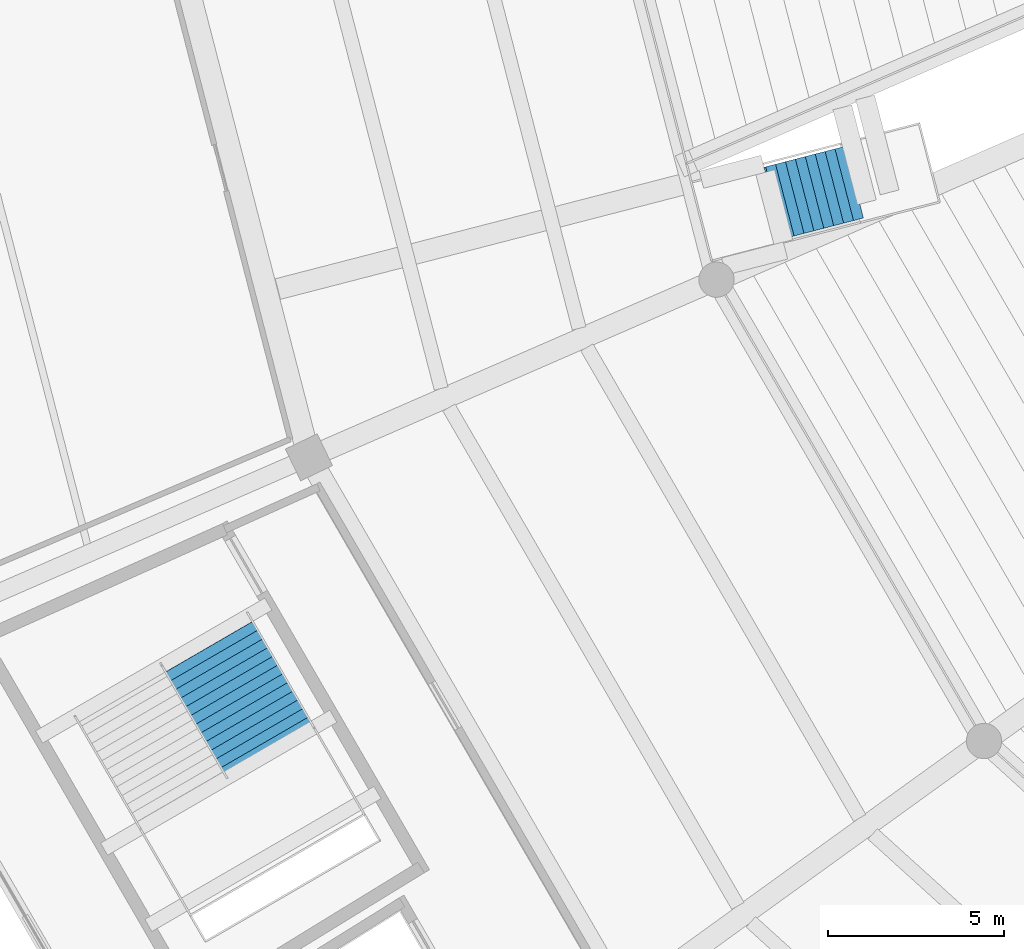
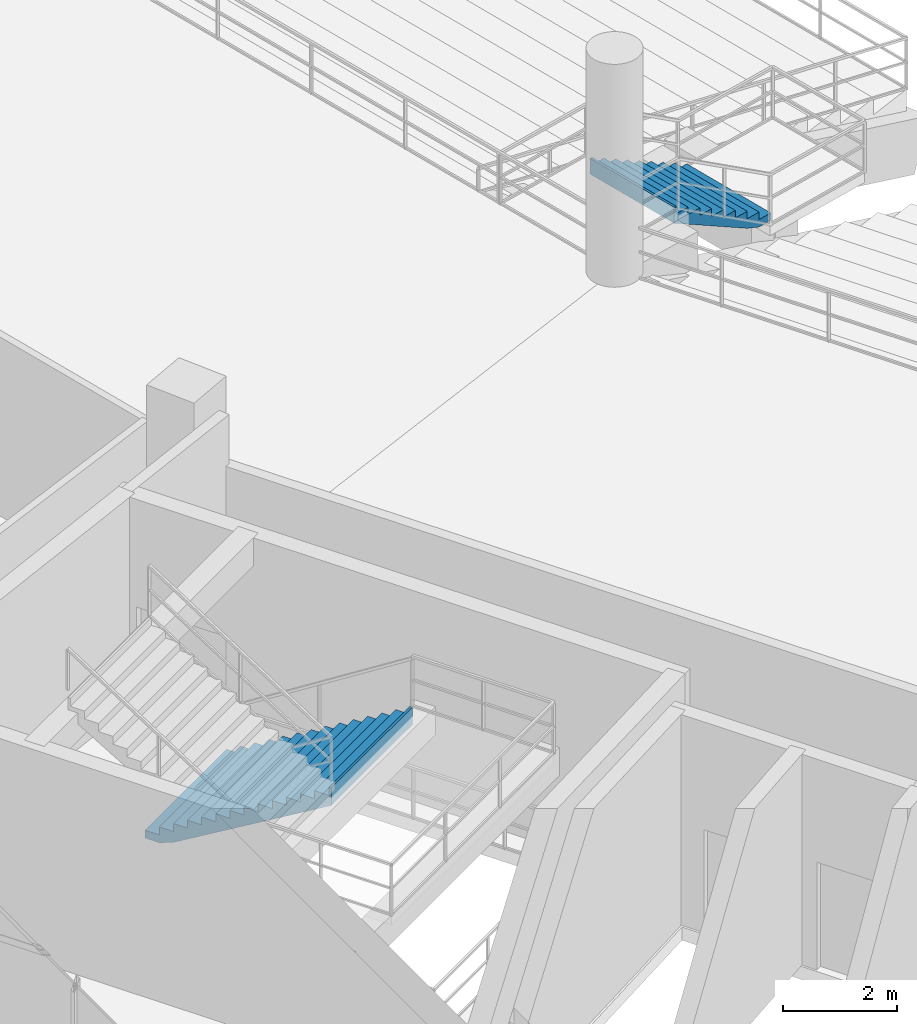
# One storey, part 119 of 156: 2 stair flights, 2 elements without a shape of their own.
"""IFC4 building model written with IfcOpenShell, lengths in metres."""

from ifc_helpers import new_model, si_unit, direction, frame, origin, place, context, subcontext, project, spatial, polygons, material, type_object, element, aggregate, save


model = new_model("IFC4")

# Units and contexts
model_context = context("Model", 3, precision=1e-05, world=origin(), true_north=direction((0.0, 1.0)))
body_context = subcontext(model_context, "Body", "Model", "MODEL_VIEW")
ifc_project = project(units=[si_unit("LENGTHUNIT", "METRE"), si_unit("AREAUNIT", "SQUARE_METRE"), si_unit("VOLUMEUNIT", "CUBIC_METRE"), si_unit("PLANEANGLEUNIT", "RADIAN"), si_unit("MASSUNIT", "GRAM", prefix="KILO")], contexts=[model_context])

# Site, building, storey
site_placement = place(None, origin())
site = spatial("IfcSite", under=ifc_project, at=site_placement, CompositionType="ELEMENT")
building_placement = place(site_placement, origin())
building = spatial("IfcBuilding", under=site, at=building_placement, Name="Kazemori Nagisa Stadium", CompositionType="ELEMENT")
storey_placement = place(building_placement, frame((0.0, 0.0, 5.780029296875)))
storey = spatial("IfcBuildingStorey", under=building, at=storey_placement, Name="L01", CompositionType="ELEMENT", Elevation=5.780029296875)

# Stair, stair flight
ifc_material = material(Name="Concrete C36/45 (Fc36)", Category="concrete")
stair_type_1 = type_object("IfcStairType", Name="Stair_CORE_28", PredefinedType="TWO_STRAIGHT_RUN_STAIR", material=ifc_material)
stair_1_placement = place(storey_placement, origin())
stair_1 = element("IfcStair", 1, at=stair_1_placement, inside=storey, type_object=stair_type_1, Name="Exit stair ST09 L01", PredefinedType="TWO_STRAIGHT_RUN_STAIR")
stair_flight_type_1 = type_object("IfcStairFlightType", Name="Flight_CORE_14", PredefinedType="STRAIGHT", material=ifc_material)
stair_flight_1_placement = place(storey_placement, frame((43.585693359375, 63.55029296875, 0.0), z_axis=(0.0, 0.0, 1.0), x_axis=(0.501607632837, -0.86509524486, 0.0)))
stair_flight_1 = element("IfcStairFlight", 2, at=stair_flight_1_placement, type_object=stair_flight_type_1, Name="Exit stair ST09 L01 flight 1", NumberOfRisers=14, NumberOfTreads=13, PredefinedType="STRAIGHT", RiserHeight=0.17, TreadLength=0.285, context=body_context, shape_type="Tessellation", body=[
    polygons([(0.0, -1.425048828125, 0.0), (0.0, -1.425048828125, 0.169921875), (0.284912109375, -1.425048828125, 0.169921875), (0.284912109375, -1.425048828125, 0.340087890625), (0.570068359375, -1.425048828125, 0.340087890625), (0.570068359375, -1.425048828125, 0.510009765625), (0.85498046875, -1.425048828125, 0.510009765625), (0.85498046875, -1.425048828125, 0.679931640625), (1.139892578125, -1.425048828125, 0.679931640625), (1.139892578125, -1.425048828125, 0.85009765625), (1.425048828125, -1.425048828125, 0.85009765625), (1.425048828125, -1.425048828125, 1.02001953125), (1.7099609375, -1.425048828125, 1.02001953125), (1.7099609375, -1.425048828125, 1.18994140625), (1.9951171875, -1.425048828125, 1.18994140625), (1.9951171875, -1.425048828125, 1.360107421875), (2.280029296875, -1.425048828125, 1.360107421875), (2.280029296875, -1.425048828125, 1.530029296875), (2.56494140625, -1.425048828125, 1.530029296875), (2.56494140625, -1.425048828125, 1.699951171875), (2.85009765625, -1.425048828125, 1.699951171875), (2.85009765625, -1.425048828125, 1.8701171875), (3.135009765625, -1.425048828125, 1.8701171875), (3.135009765625, -1.425048828125, 2.0400390625), (3.419921875, -1.425048828125, 2.0400390625), (3.419921875, -1.425048828125, 2.2099609375), (3.705078125, -1.425048828125, 2.2099609375), (3.705078125, -1.425048828125, 2.3798828125), (3.7548828125, -1.425048828125, 2.3798828125), (3.7548828125, -1.425048828125, 2.007080078125), (3.705078125, -1.425048828125, 1.977294921875), (3.419921875, -1.425048828125, 1.80712890625), (3.135009765625, -1.425048828125, 1.63720703125), (2.85009765625, -1.425048828125, 1.46728515625), (2.56494140625, -1.425048828125, 1.297119140625), (2.280029296875, -1.425048828125, 1.127197265625), (1.9951171875, -1.425048828125, 0.957275390625), (1.7099609375, -1.425048828125, 0.787109375), (1.425048828125, -1.425048828125, 0.6171875), (1.139892578125, -1.425048828125, 0.447265625), (0.85498046875, -1.425048828125, 0.277099609375), (0.570068359375, -1.425048828125, 0.107177734375), (0.284912109375, -1.425048828125, 0.0), (0.0, -0.08544921875, 0.0), (0.0, -0.08544921875, 0.169921875), (0.284912109375, -0.08544921875, 0.169921875), (0.284912109375, -0.08544921875, 0.340087890625), (0.570068359375, -0.08544921875, 0.340087890625), (0.570068359375, -0.08544921875, 0.510009765625), (0.85498046875, -0.08544921875, 0.510009765625), (0.85498046875, -0.08544921875, 0.679931640625), (1.139892578125, -0.08544921875, 0.679931640625), (1.139892578125, -0.08544921875, 0.85009765625), (1.425048828125, -0.08544921875, 0.85009765625), (1.425048828125, -0.08544921875, 1.02001953125), (1.7099609375, -0.08544921875, 1.02001953125), (1.7099609375, -0.08544921875, 1.18994140625), (1.9951171875, -0.08544921875, 1.18994140625), (1.9951171875, -0.08544921875, 1.360107421875), (2.280029296875, -0.08544921875, 1.360107421875), (2.280029296875, -0.08544921875, 1.530029296875), (2.56494140625, -0.08544921875, 1.530029296875), (2.56494140625, -0.08544921875, 1.699951171875), (2.85009765625, -0.08544921875, 1.699951171875), (2.85009765625, -0.08544921875, 1.8701171875), (3.135009765625, -0.08544921875, 1.8701171875), (3.135009765625, -0.08544921875, 2.0400390625), (3.419921875, -0.08544921875, 2.0400390625), (3.419921875, -0.08544921875, 2.2099609375), (3.705078125, -0.08544921875, 2.2099609375), (3.705078125, -0.08544921875, 2.3798828125), (3.7548828125, -0.08544921875, 2.3798828125), (3.7548828125, -0.08544921875, 2.007080078125), (3.705078125, -0.08544921875, 1.977294921875), (3.419921875, -0.08544921875, 1.80712890625), (3.135009765625, -0.08544921875, 1.63720703125), (2.85009765625, -0.08544921875, 1.46728515625), (2.56494140625, -0.08544921875, 1.297119140625), (2.280029296875, -0.08544921875, 1.127197265625), (1.9951171875, -0.08544921875, 0.957275390625), (1.7099609375, -0.08544921875, 0.787109375), (1.425048828125, -0.08544921875, 0.6171875), (1.139892578125, -0.08544921875, 0.447265625), (0.85498046875, -0.08544921875, 0.277099609375), (0.570068359375, -0.08544921875, 0.107177734375), (0.284912109375, -0.08544921875, 0.0), (0.0, 0.0, 0.0), (0.0, 0.0, 0.169921875), (0.284912109375, 0.0, 0.169921875), (0.284912109375, 0.0, 0.340087890625), (0.570068359375, 0.0, 0.340087890625), (0.570068359375, 0.0, 0.510009765625), (0.85498046875, 0.0, 0.510009765625), (0.85498046875, 0.0, 0.679931640625), (1.139892578125, 0.0, 0.679931640625), (1.139892578125, 0.0, 0.85009765625), (1.425048828125, 0.0, 0.85009765625), (1.425048828125, 0.0, 1.02001953125), (1.7099609375, 0.0, 1.02001953125), (1.7099609375, 0.0, 1.18994140625), (1.9951171875, 0.0, 1.18994140625), (1.9951171875, 0.0, 1.360107421875), (2.280029296875, 0.0, 1.360107421875), (2.280029296875, 0.0, 1.530029296875), (2.56494140625, 0.0, 1.530029296875), (2.56494140625, 0.0, 1.699951171875), (2.85009765625, 0.0, 1.699951171875), (2.85009765625, 0.0, 1.8701171875), (3.135009765625, 0.0, 1.8701171875), (3.135009765625, 0.0, 2.0400390625), (3.419921875, 0.0, 2.0400390625), (3.419921875, 0.0, 2.2099609375), (3.705078125, 0.0, 2.2099609375), (3.705078125, 0.0, 2.3798828125), (3.7548828125, 0.0, 2.3798828125), (3.7548828125, 0.0, 2.007080078125), (3.705078125, 0.0, 1.977294921875), (3.419921875, 0.0, 1.80712890625), (3.135009765625, 0.0, 1.63720703125), (2.85009765625, 0.0, 1.46728515625), (2.56494140625, 0.0, 1.297119140625), (2.280029296875, 0.0, 1.127197265625), (1.9951171875, 0.0, 0.957275390625), (1.7099609375, 0.0, 0.787109375), (1.425048828125, 0.0, 0.6171875), (1.139892578125, 0.0, 0.447265625), (0.85498046875, 0.0, 0.277099609375), (0.570068359375, 0.0, 0.107177734375), (0.284912109375, 0.0, 0.0), (0.0, 0.08544921875, 0.0), (0.0, 0.08544921875, 0.169921875), (0.284912109375, 0.08544921875, 0.169921875), (0.284912109375, 0.08544921875, 0.340087890625), (0.570068359375, 0.08544921875, 0.340087890625), (0.570068359375, 0.08544921875, 0.510009765625), (0.85498046875, 0.08544921875, 0.510009765625), (0.85498046875, 0.08544921875, 0.679931640625), (1.139892578125, 0.08544921875, 0.679931640625), (1.139892578125, 0.08544921875, 0.85009765625), (1.425048828125, 0.08544921875, 0.85009765625), (1.425048828125, 0.08544921875, 1.02001953125), (1.7099609375, 0.08544921875, 1.02001953125), (1.7099609375, 0.08544921875, 1.18994140625), (1.9951171875, 0.08544921875, 1.18994140625), (1.9951171875, 0.08544921875, 1.360107421875), (2.280029296875, 0.08544921875, 1.360107421875), (2.280029296875, 0.08544921875, 1.530029296875), (2.56494140625, 0.08544921875, 1.530029296875), (2.56494140625, 0.08544921875, 1.699951171875), (2.85009765625, 0.08544921875, 1.699951171875), (2.85009765625, 0.08544921875, 1.8701171875), (3.135009765625, 0.08544921875, 1.8701171875), (3.135009765625, 0.08544921875, 2.0400390625), (3.419921875, 0.08544921875, 2.0400390625), (3.419921875, 0.08544921875, 2.2099609375), (3.705078125, 0.08544921875, 2.2099609375), (3.705078125, 0.08544921875, 2.3798828125), (3.7548828125, 0.08544921875, 2.3798828125), (3.7548828125, 0.08544921875, 2.007080078125), (3.705078125, 0.08544921875, 1.977294921875), (3.419921875, 0.08544921875, 1.80712890625), (3.135009765625, 0.08544921875, 1.63720703125), (2.85009765625, 0.08544921875, 1.46728515625), (2.56494140625, 0.08544921875, 1.297119140625), (2.280029296875, 0.08544921875, 1.127197265625), (1.9951171875, 0.08544921875, 0.957275390625), (1.7099609375, 0.08544921875, 0.787109375), (1.425048828125, 0.08544921875, 0.6171875), (1.139892578125, 0.08544921875, 0.447265625), (0.85498046875, 0.08544921875, 0.277099609375), (0.570068359375, 0.08544921875, 0.107177734375), (0.284912109375, 0.08544921875, 0.0), (0.0, 1.425048828125, 0.0), (0.0, 1.425048828125, 0.169921875), (0.284912109375, 1.425048828125, 0.169921875), (0.284912109375, 1.425048828125, 0.340087890625), (0.570068359375, 1.425048828125, 0.340087890625), (0.570068359375, 1.425048828125, 0.510009765625), (0.85498046875, 1.425048828125, 0.510009765625), (0.85498046875, 1.425048828125, 0.679931640625), (1.139892578125, 1.425048828125, 0.679931640625), (1.139892578125, 1.425048828125, 0.85009765625), (1.425048828125, 1.425048828125, 0.85009765625), (1.425048828125, 1.425048828125, 1.02001953125), (1.7099609375, 1.425048828125, 1.02001953125), (1.7099609375, 1.425048828125, 1.18994140625), (1.9951171875, 1.425048828125, 1.18994140625), (1.9951171875, 1.425048828125, 1.360107421875), (2.280029296875, 1.425048828125, 1.360107421875), (2.280029296875, 1.425048828125, 1.530029296875), (2.56494140625, 1.425048828125, 1.530029296875), (2.56494140625, 1.425048828125, 1.699951171875), (2.85009765625, 1.425048828125, 1.699951171875), (2.85009765625, 1.425048828125, 1.8701171875), (3.135009765625, 1.425048828125, 1.8701171875), (3.135009765625, 1.425048828125, 2.0400390625), (3.419921875, 1.425048828125, 2.0400390625), (3.419921875, 1.425048828125, 2.2099609375), (3.705078125, 1.425048828125, 2.2099609375), (3.705078125, 1.425048828125, 2.3798828125), (3.7548828125, 1.425048828125, 2.3798828125), (3.7548828125, 1.425048828125, 2.007080078125), (3.705078125, 1.425048828125, 1.977294921875), (3.419921875, 1.425048828125, 1.80712890625), (3.135009765625, 1.425048828125, 1.63720703125), (2.85009765625, 1.425048828125, 1.46728515625), (2.56494140625, 1.425048828125, 1.297119140625), (2.280029296875, 1.425048828125, 1.127197265625), (1.9951171875, 1.425048828125, 0.957275390625), (1.7099609375, 1.425048828125, 0.787109375), (1.425048828125, 1.425048828125, 0.6171875), (1.139892578125, 1.425048828125, 0.447265625), (0.85498046875, 1.425048828125, 0.277099609375), (0.570068359375, 1.425048828125, 0.107177734375), (0.284912109375, 1.425048828125, 0.0)], [[[1, 2, 45]], [[1, 45, 44]], [[2, 3, 46]], [[2, 46, 45]], [[3, 4, 47]], [[3, 47, 46]], [[4, 5, 48]], [[4, 48, 47]], [[5, 6, 49]], [[5, 49, 48]], [[6, 7, 50]], [[6, 50, 49]], [[7, 8, 51]], [[7, 51, 50]], [[8, 9, 52]], [[8, 52, 51]], [[9, 10, 53]], [[9, 53, 52]], [[10, 11, 54]], [[10, 54, 53]], [[11, 12, 55]], [[11, 55, 54]], [[12, 13, 56]], [[12, 56, 55]], [[13, 14, 57]], [[13, 57, 56]], [[14, 15, 58]], [[14, 58, 57]], [[15, 16, 59]], [[15, 59, 58]], [[16, 17, 60]], [[16, 60, 59]], [[17, 18, 61]], [[17, 61, 60]], [[18, 19, 62]], [[18, 62, 61]], [[19, 20, 63]], [[19, 63, 62]], [[20, 21, 64]], [[20, 64, 63]], [[21, 22, 65]], [[21, 65, 64]], [[22, 23, 66]], [[22, 66, 65]], [[23, 24, 67]], [[23, 67, 66]], [[24, 25, 68]], [[24, 68, 67]], [[25, 26, 69]], [[25, 69, 68]], [[26, 27, 70]], [[26, 70, 69]], [[27, 28, 71]], [[27, 71, 70]], [[28, 29, 72]], [[28, 72, 71]], [[29, 30, 73]], [[29, 73, 72]], [[30, 31, 74]], [[30, 74, 73]], [[31, 32, 75]], [[31, 75, 74]], [[32, 33, 76]], [[32, 76, 75]], [[33, 34, 77]], [[33, 77, 76]], [[34, 35, 78]], [[34, 78, 77]], [[35, 36, 79]], [[35, 79, 78]], [[36, 37, 80]], [[36, 80, 79]], [[37, 38, 81]], [[37, 81, 80]], [[38, 39, 82]], [[38, 82, 81]], [[39, 40, 83]], [[39, 83, 82]], [[40, 41, 84]], [[40, 84, 83]], [[41, 42, 85]], [[41, 85, 84]], [[42, 43, 86]], [[42, 86, 85]], [[43, 1, 44]], [[43, 44, 86]], [[44, 45, 88]], [[44, 88, 87]], [[45, 46, 89]], [[45, 89, 88]], [[46, 47, 90]], [[46, 90, 89]], [[47, 48, 91]], [[47, 91, 90]], [[48, 49, 92]], [[48, 92, 91]], [[49, 50, 93]], [[49, 93, 92]], [[50, 51, 94]], [[50, 94, 93]], [[51, 52, 95]], [[51, 95, 94]], [[52, 53, 96]], [[52, 96, 95]], [[53, 54, 97]], [[53, 97, 96]], [[54, 55, 98]], [[54, 98, 97]], [[55, 56, 99]], [[55, 99, 98]], [[56, 57, 100]], [[56, 100, 99]], [[57, 58, 101]], [[57, 101, 100]], [[58, 59, 102]], [[58, 102, 101]], [[59, 60, 103]], [[59, 103, 102]], [[60, 61, 104]], [[60, 104, 103]], [[61, 62, 105]], [[61, 105, 104]], [[62, 63, 106]], [[62, 106, 105]], [[63, 64, 107]], [[63, 107, 106]], [[64, 65, 108]], [[64, 108, 107]], [[65, 66, 109]], [[65, 109, 108]], [[66, 67, 110]], [[66, 110, 109]], [[67, 68, 111]], [[67, 111, 110]], [[68, 69, 112]], [[68, 112, 111]], [[69, 70, 113]], [[69, 113, 112]], [[70, 71, 114]], [[70, 114, 113]], [[71, 72, 115]], [[71, 115, 114]], [[72, 73, 116]], [[72, 116, 115]], [[73, 74, 117]], [[73, 117, 116]], [[74, 75, 118]], [[74, 118, 117]], [[75, 76, 119]], [[75, 119, 118]], [[76, 77, 120]], [[76, 120, 119]], [[77, 78, 121]], [[77, 121, 120]], [[78, 79, 122]], [[78, 122, 121]], [[79, 80, 123]], [[79, 123, 122]], [[80, 81, 124]], [[80, 124, 123]], [[81, 82, 125]], [[81, 125, 124]], [[82, 83, 126]], [[82, 126, 125]], [[83, 84, 127]], [[83, 127, 126]], [[84, 85, 128]], [[84, 128, 127]], [[85, 86, 129]], [[85, 129, 128]], [[86, 44, 87]], [[86, 87, 129]], [[87, 88, 131]], [[87, 131, 130]], [[88, 89, 132]], [[88, 132, 131]], [[89, 90, 133]], [[89, 133, 132]], [[90, 91, 134]], [[90, 134, 133]], [[91, 92, 135]], [[91, 135, 134]], [[92, 93, 136]], [[92, 136, 135]], [[93, 94, 137]], [[93, 137, 136]], [[94, 95, 138]], [[94, 138, 137]], [[95, 96, 139]], [[95, 139, 138]], [[96, 97, 140]], [[96, 140, 139]], [[97, 98, 141]], [[97, 141, 140]], [[98, 99, 142]], [[98, 142, 141]], [[99, 100, 143]], [[99, 143, 142]], [[100, 101, 144]], [[100, 144, 143]], [[101, 102, 145]], [[101, 145, 144]], [[102, 103, 146]], [[102, 146, 145]], [[103, 104, 147]], [[103, 147, 146]], [[104, 105, 148]], [[104, 148, 147]], [[105, 106, 149]], [[105, 149, 148]], [[106, 107, 150]], [[106, 150, 149]], [[107, 108, 151]], [[107, 151, 150]], [[108, 109, 152]], [[108, 152, 151]], [[109, 110, 153]], [[109, 153, 152]], [[110, 111, 154]], [[110, 154, 153]], [[111, 112, 155]], [[111, 155, 154]], [[112, 113, 156]], [[112, 156, 155]], [[113, 114, 157]], [[113, 157, 156]], [[114, 115, 158]], [[114, 158, 157]], [[115, 116, 159]], [[115, 159, 158]], [[116, 117, 160]], [[116, 160, 159]], [[117, 118, 161]], [[117, 161, 160]], [[118, 119, 162]], [[118, 162, 161]], [[119, 120, 163]], [[119, 163, 162]], [[120, 121, 164]], [[120, 164, 163]], [[121, 122, 165]], [[121, 165, 164]], [[122, 123, 166]], [[122, 166, 165]], [[123, 124, 167]], [[123, 167, 166]], [[124, 125, 168]], [[124, 168, 167]], [[125, 126, 169]], [[125, 169, 168]], [[126, 127, 170]], [[126, 170, 169]], [[127, 128, 171]], [[127, 171, 170]], [[128, 129, 172]], [[128, 172, 171]], [[129, 87, 130]], [[129, 130, 172]], [[130, 131, 174]], [[130, 174, 173]], [[131, 132, 175]], [[131, 175, 174]], [[132, 133, 176]], [[132, 176, 175]], [[133, 134, 177]], [[133, 177, 176]], [[134, 135, 178]], [[134, 178, 177]], [[135, 136, 179]], [[135, 179, 178]], [[136, 137, 180]], [[136, 180, 179]], [[137, 138, 181]], [[137, 181, 180]], [[138, 139, 182]], [[138, 182, 181]], [[139, 140, 183]], [[139, 183, 182]], [[140, 141, 184]], [[140, 184, 183]], [[141, 142, 185]], [[141, 185, 184]], [[142, 143, 186]], [[142, 186, 185]], [[143, 144, 187]], [[143, 187, 186]], [[144, 145, 188]], [[144, 188, 187]], [[145, 146, 189]], [[145, 189, 188]], [[146, 147, 190]], [[146, 190, 189]], [[147, 148, 191]], [[147, 191, 190]], [[148, 149, 192]], [[148, 192, 191]], [[149, 150, 193]], [[149, 193, 192]], [[150, 151, 194]], [[150, 194, 193]], [[151, 152, 195]], [[151, 195, 194]], [[152, 153, 196]], [[152, 196, 195]], [[153, 154, 197]], [[153, 197, 196]], [[154, 155, 198]], [[154, 198, 197]], [[155, 156, 199]], [[155, 199, 198]], [[156, 157, 200]], [[156, 200, 199]], [[157, 158, 201]], [[157, 201, 200]], [[158, 159, 202]], [[158, 202, 201]], [[159, 160, 203]], [[159, 203, 202]], [[160, 161, 204]], [[160, 204, 203]], [[161, 162, 205]], [[161, 205, 204]], [[162, 163, 206]], [[162, 206, 205]], [[163, 164, 207]], [[163, 207, 206]], [[164, 165, 208]], [[164, 208, 207]], [[165, 166, 209]], [[165, 209, 208]], [[166, 167, 210]], [[166, 210, 209]], [[167, 168, 211]], [[167, 211, 210]], [[168, 169, 212]], [[168, 212, 211]], [[169, 170, 213]], [[169, 213, 212]], [[170, 171, 214]], [[170, 214, 213]], [[171, 172, 215]], [[171, 215, 214]], [[172, 130, 173]], [[172, 173, 215]], [[3, 2, 1]], [[173, 174, 175]], [[43, 3, 1]], [[173, 175, 215]], [[42, 3, 43]], [[215, 175, 214]], [[5, 3, 42]], [[214, 175, 177]], [[5, 4, 3]], [[175, 176, 177]], [[41, 5, 42]], [[214, 177, 213]], [[7, 5, 41]], [[213, 177, 179]], [[7, 6, 5]], [[177, 178, 179]], [[40, 7, 41]], [[213, 179, 212]], [[9, 7, 40]], [[212, 179, 181]], [[9, 8, 7]], [[179, 180, 181]], [[39, 9, 40]], [[212, 181, 211]], [[11, 9, 39]], [[211, 181, 183]], [[11, 10, 9]], [[181, 182, 183]], [[38, 11, 39]], [[211, 183, 210]], [[13, 11, 38]], [[210, 183, 185]], [[13, 12, 11]], [[183, 184, 185]], [[37, 13, 38]], [[210, 185, 209]], [[15, 13, 37]], [[209, 185, 187]], [[15, 14, 13]], [[185, 186, 187]], [[36, 15, 37]], [[209, 187, 208]], [[17, 15, 36]], [[208, 187, 189]], [[17, 16, 15]], [[187, 188, 189]], [[35, 17, 36]], [[208, 189, 207]], [[19, 17, 35]], [[207, 189, 191]], [[19, 18, 17]], [[189, 190, 191]], [[34, 19, 35]], [[207, 191, 206]], [[21, 19, 34]], [[206, 191, 193]], [[21, 20, 19]], [[191, 192, 193]], [[33, 21, 34]], [[206, 193, 205]], [[23, 21, 33]], [[205, 193, 195]], [[23, 22, 21]], [[193, 194, 195]], [[32, 23, 33]], [[205, 195, 204]], [[25, 23, 32]], [[204, 195, 197]], [[25, 24, 23]], [[195, 196, 197]], [[31, 25, 32]], [[204, 197, 203]], [[27, 25, 31]], [[203, 197, 199]], [[27, 26, 25]], [[197, 198, 199]], [[30, 27, 31]], [[203, 199, 202]], [[29, 27, 30]], [[202, 199, 201]], [[29, 28, 27]], [[199, 200, 201]]], closed=True),
])
aggregate(stair_1, [stair_flight_1])

stair_type_2 = type_object("IfcStairType", Name="Stair_VOM_VL", PredefinedType="STRAIGHT_RUN_STAIR", material=ifc_material)
stair_2_placement = place(storey_placement, origin())
stair_2 = element("IfcStair", 3, at=stair_2_placement, inside=storey, type_object=stair_type_2, Name="Vomitory stair lower VL07", PredefinedType="STRAIGHT_RUN_STAIR")
stair_flight_type_2 = type_object("IfcStairFlightType", Name="Flight_VOM_VL", PredefinedType="STRAIGHT", material=ifc_material)
stair_flight_2_placement = place(storey_placement, frame((62.01708984375, 76.476318359375, -1.43994140625), z_axis=(0.0, 0.0, 1.0), x_axis=(-0.968237888229, -0.250030781701, 0.0)))
stair_flight_2 = element("IfcStairFlight", 4, at=stair_flight_2_placement, type_object=stair_flight_type_2, Name="Vomitory stair lower VL07 flight", NumberOfRisers=9, NumberOfTreads=8, PredefinedType="STRAIGHT", RiserHeight=0.16, TreadLength=0.29, context=body_context, shape_type="Tessellation", body=[
    polygons([(0.0, -1.050048828125, 0.0), (0.0, -1.050048828125, 0.159912109375), (0.2900390625, -1.050048828125, 0.159912109375), (0.2900390625, -1.050048828125, 0.320068359375), (0.580078125, -1.050048828125, 0.320068359375), (0.580078125, -1.050048828125, 0.47998046875), (0.8701171875, -1.050048828125, 0.47998046875), (0.8701171875, -1.050048828125, 0.639892578125), (1.159912109375, -1.050048828125, 0.639892578125), (1.159912109375, -1.050048828125, 0.800048828125), (1.449951171875, -1.050048828125, 0.800048828125), (1.449951171875, -1.050048828125, 0.9599609375), (1.739990234375, -1.050048828125, 0.9599609375), (1.739990234375, -1.050048828125, 1.1201171875), (2.030029296875, -1.050048828125, 1.1201171875), (2.030029296875, -1.050048828125, 1.280029296875), (2.320068359375, -1.050048828125, 1.280029296875), (2.320068359375, -1.050048828125, 1.43994140625), (2.3701171875, -1.050048828125, 1.43994140625), (2.3701171875, -1.050048828125, 1.10205078125), (2.320068359375, -1.050048828125, 1.074462890625), (2.030029296875, -1.050048828125, 0.91455078125), (1.739990234375, -1.050048828125, 0.75439453125), (1.449951171875, -1.050048828125, 0.594482421875), (1.159912109375, -1.050048828125, 0.4345703125), (0.8701171875, -1.050048828125, 0.2744140625), (0.580078125, -1.050048828125, 0.114501953125), (0.2900390625, -1.050048828125, 0.0), (0.0, -0.06298828125, 0.0), (0.0, -0.06298828125, 0.159912109375), (0.2900390625, -0.06298828125, 0.159912109375), (0.2900390625, -0.06298828125, 0.320068359375), (0.580078125, -0.06298828125, 0.320068359375), (0.580078125, -0.06298828125, 0.47998046875), (0.8701171875, -0.06298828125, 0.47998046875), (0.8701171875, -0.06298828125, 0.639892578125), (1.159912109375, -0.06298828125, 0.639892578125), (1.159912109375, -0.06298828125, 0.800048828125), (1.449951171875, -0.06298828125, 0.800048828125), (1.449951171875, -0.06298828125, 0.9599609375), (1.739990234375, -0.06298828125, 0.9599609375), (1.739990234375, -0.06298828125, 1.1201171875), (2.030029296875, -0.06298828125, 1.1201171875), (2.030029296875, -0.06298828125, 1.280029296875), (2.320068359375, -0.06298828125, 1.280029296875), (2.320068359375, -0.06298828125, 1.43994140625), (2.3701171875, -0.06298828125, 1.43994140625), (2.3701171875, -0.06298828125, 1.10205078125), (2.320068359375, -0.06298828125, 1.074462890625), (2.030029296875, -0.06298828125, 0.91455078125), (1.739990234375, -0.06298828125, 0.75439453125), (1.449951171875, -0.06298828125, 0.594482421875), (1.159912109375, -0.06298828125, 0.4345703125), (0.8701171875, -0.06298828125, 0.2744140625), (0.580078125, -0.06298828125, 0.114501953125), (0.2900390625, -0.06298828125, 0.0), (0.0, 0.0, 0.0), (0.0, 0.0, 0.159912109375), (0.2900390625, 0.0, 0.159912109375), (0.2900390625, 0.0, 0.320068359375), (0.580078125, 0.0, 0.320068359375), (0.580078125, 0.0, 0.47998046875), (0.8701171875, 0.0, 0.47998046875), (0.8701171875, 0.0, 0.639892578125), (1.159912109375, 0.0, 0.639892578125), (1.159912109375, 0.0, 0.800048828125), (1.449951171875, 0.0, 0.800048828125), (1.449951171875, 0.0, 0.9599609375), (1.739990234375, 0.0, 0.9599609375), (1.739990234375, 0.0, 1.1201171875), (2.030029296875, 0.0, 1.1201171875), (2.030029296875, 0.0, 1.280029296875), (2.320068359375, 0.0, 1.280029296875), (2.320068359375, 0.0, 1.43994140625), (2.3701171875, 0.0, 1.43994140625), (2.3701171875, 0.0, 1.10205078125), (2.320068359375, 0.0, 1.074462890625), (2.030029296875, 0.0, 0.91455078125), (1.739990234375, 0.0, 0.75439453125), (1.449951171875, 0.0, 0.594482421875), (1.159912109375, 0.0, 0.4345703125), (0.8701171875, 0.0, 0.2744140625), (0.580078125, 0.0, 0.114501953125), (0.2900390625, 0.0, 0.0), (0.0, 0.06298828125, 0.0), (0.0, 0.06298828125, 0.159912109375), (0.2900390625, 0.06298828125, 0.159912109375), (0.2900390625, 0.06298828125, 0.320068359375), (0.580078125, 0.06298828125, 0.320068359375), (0.580078125, 0.06298828125, 0.47998046875), (0.8701171875, 0.06298828125, 0.47998046875), (0.8701171875, 0.06298828125, 0.639892578125), (1.159912109375, 0.06298828125, 0.639892578125), (1.159912109375, 0.06298828125, 0.800048828125), (1.449951171875, 0.06298828125, 0.800048828125), (1.449951171875, 0.06298828125, 0.9599609375), (1.739990234375, 0.06298828125, 0.9599609375), (1.739990234375, 0.06298828125, 1.1201171875), (2.030029296875, 0.06298828125, 1.1201171875), (2.030029296875, 0.06298828125, 1.280029296875), (2.320068359375, 0.06298828125, 1.280029296875), (2.320068359375, 0.06298828125, 1.43994140625), (2.3701171875, 0.06298828125, 1.43994140625), (2.3701171875, 0.06298828125, 1.10205078125), (2.320068359375, 0.06298828125, 1.074462890625), (2.030029296875, 0.06298828125, 0.91455078125), (1.739990234375, 0.06298828125, 0.75439453125), (1.449951171875, 0.06298828125, 0.594482421875), (1.159912109375, 0.06298828125, 0.4345703125), (0.8701171875, 0.06298828125, 0.2744140625), (0.580078125, 0.06298828125, 0.114501953125), (0.2900390625, 0.06298828125, 0.0), (0.0, 1.050048828125, 0.0), (0.0, 1.050048828125, 0.159912109375), (0.2900390625, 1.050048828125, 0.159912109375), (0.2900390625, 1.050048828125, 0.320068359375), (0.580078125, 1.050048828125, 0.320068359375), (0.580078125, 1.050048828125, 0.47998046875), (0.8701171875, 1.050048828125, 0.47998046875), (0.8701171875, 1.050048828125, 0.639892578125), (1.159912109375, 1.050048828125, 0.639892578125), (1.159912109375, 1.050048828125, 0.800048828125), (1.449951171875, 1.050048828125, 0.800048828125), (1.449951171875, 1.050048828125, 0.9599609375), (1.739990234375, 1.050048828125, 0.9599609375), (1.739990234375, 1.050048828125, 1.1201171875), (2.030029296875, 1.050048828125, 1.1201171875), (2.030029296875, 1.050048828125, 1.280029296875), (2.320068359375, 1.050048828125, 1.280029296875), (2.320068359375, 1.050048828125, 1.43994140625), (2.3701171875, 1.050048828125, 1.43994140625), (2.3701171875, 1.050048828125, 1.10205078125), (2.320068359375, 1.050048828125, 1.074462890625), (2.030029296875, 1.050048828125, 0.91455078125), (1.739990234375, 1.050048828125, 0.75439453125), (1.449951171875, 1.050048828125, 0.594482421875), (1.159912109375, 1.050048828125, 0.4345703125), (0.8701171875, 1.050048828125, 0.2744140625), (0.580078125, 1.050048828125, 0.114501953125), (0.2900390625, 1.050048828125, 0.0)], [[[1, 2, 30]], [[1, 30, 29]], [[2, 3, 31]], [[2, 31, 30]], [[3, 4, 32]], [[3, 32, 31]], [[4, 5, 33]], [[4, 33, 32]], [[5, 6, 34]], [[5, 34, 33]], [[6, 7, 35]], [[6, 35, 34]], [[7, 8, 36]], [[7, 36, 35]], [[8, 9, 37]], [[8, 37, 36]], [[9, 10, 38]], [[9, 38, 37]], [[10, 11, 39]], [[10, 39, 38]], [[11, 12, 40]], [[11, 40, 39]], [[12, 13, 41]], [[12, 41, 40]], [[13, 14, 42]], [[13, 42, 41]], [[14, 15, 43]], [[14, 43, 42]], [[15, 16, 44]], [[15, 44, 43]], [[16, 17, 45]], [[16, 45, 44]], [[17, 18, 46]], [[17, 46, 45]], [[18, 19, 47]], [[18, 47, 46]], [[19, 20, 48]], [[19, 48, 47]], [[20, 21, 49]], [[20, 49, 48]], [[21, 22, 50]], [[21, 50, 49]], [[22, 23, 51]], [[22, 51, 50]], [[23, 24, 52]], [[23, 52, 51]], [[24, 25, 53]], [[24, 53, 52]], [[25, 26, 54]], [[25, 54, 53]], [[26, 27, 55]], [[26, 55, 54]], [[27, 28, 56]], [[27, 56, 55]], [[28, 1, 29]], [[28, 29, 56]], [[29, 30, 58]], [[29, 58, 57]], [[30, 31, 59]], [[30, 59, 58]], [[31, 32, 60]], [[31, 60, 59]], [[32, 33, 61]], [[32, 61, 60]], [[33, 34, 62]], [[33, 62, 61]], [[34, 35, 63]], [[34, 63, 62]], [[35, 36, 64]], [[35, 64, 63]], [[36, 37, 65]], [[36, 65, 64]], [[37, 38, 66]], [[37, 66, 65]], [[38, 39, 67]], [[38, 67, 66]], [[39, 40, 68]], [[39, 68, 67]], [[40, 41, 69]], [[40, 69, 68]], [[41, 42, 70]], [[41, 70, 69]], [[42, 43, 71]], [[42, 71, 70]], [[43, 44, 72]], [[43, 72, 71]], [[44, 45, 73]], [[44, 73, 72]], [[45, 46, 74]], [[45, 74, 73]], [[46, 47, 75]], [[46, 75, 74]], [[47, 48, 76]], [[47, 76, 75]], [[48, 49, 77]], [[48, 77, 76]], [[49, 50, 78]], [[49, 78, 77]], [[50, 51, 79]], [[50, 79, 78]], [[51, 52, 80]], [[51, 80, 79]], [[52, 53, 81]], [[52, 81, 80]], [[53, 54, 82]], [[53, 82, 81]], [[54, 55, 83]], [[54, 83, 82]], [[55, 56, 84]], [[55, 84, 83]], [[56, 29, 57]], [[56, 57, 84]], [[57, 58, 86]], [[57, 86, 85]], [[58, 59, 87]], [[58, 87, 86]], [[59, 60, 88]], [[59, 88, 87]], [[60, 61, 89]], [[60, 89, 88]], [[61, 62, 90]], [[61, 90, 89]], [[62, 63, 91]], [[62, 91, 90]], [[63, 64, 92]], [[63, 92, 91]], [[64, 65, 93]], [[64, 93, 92]], [[65, 66, 94]], [[65, 94, 93]], [[66, 67, 95]], [[66, 95, 94]], [[67, 68, 96]], [[67, 96, 95]], [[68, 69, 97]], [[68, 97, 96]], [[69, 70, 98]], [[69, 98, 97]], [[70, 71, 99]], [[70, 99, 98]], [[71, 72, 100]], [[71, 100, 99]], [[72, 73, 101]], [[72, 101, 100]], [[73, 74, 102]], [[73, 102, 101]], [[74, 75, 103]], [[74, 103, 102]], [[75, 76, 104]], [[75, 104, 103]], [[76, 77, 105]], [[76, 105, 104]], [[77, 78, 106]], [[77, 106, 105]], [[78, 79, 107]], [[78, 107, 106]], [[79, 80, 108]], [[79, 108, 107]], [[80, 81, 109]], [[80, 109, 108]], [[81, 82, 110]], [[81, 110, 109]], [[82, 83, 111]], [[82, 111, 110]], [[83, 84, 112]], [[83, 112, 111]], [[84, 57, 85]], [[84, 85, 112]], [[85, 86, 114]], [[85, 114, 113]], [[86, 87, 115]], [[86, 115, 114]], [[87, 88, 116]], [[87, 116, 115]], [[88, 89, 117]], [[88, 117, 116]], [[89, 90, 118]], [[89, 118, 117]], [[90, 91, 119]], [[90, 119, 118]], [[91, 92, 120]], [[91, 120, 119]], [[92, 93, 121]], [[92, 121, 120]], [[93, 94, 122]], [[93, 122, 121]], [[94, 95, 123]], [[94, 123, 122]], [[95, 96, 124]], [[95, 124, 123]], [[96, 97, 125]], [[96, 125, 124]], [[97, 98, 126]], [[97, 126, 125]], [[98, 99, 127]], [[98, 127, 126]], [[99, 100, 128]], [[99, 128, 127]], [[100, 101, 129]], [[100, 129, 128]], [[101, 102, 130]], [[101, 130, 129]], [[102, 103, 131]], [[102, 131, 130]], [[103, 104, 132]], [[103, 132, 131]], [[104, 105, 133]], [[104, 133, 132]], [[105, 106, 134]], [[105, 134, 133]], [[106, 107, 135]], [[106, 135, 134]], [[107, 108, 136]], [[107, 136, 135]], [[108, 109, 137]], [[108, 137, 136]], [[109, 110, 138]], [[109, 138, 137]], [[110, 111, 139]], [[110, 139, 138]], [[111, 112, 140]], [[111, 140, 139]], [[112, 85, 113]], [[112, 113, 140]], [[3, 2, 1]], [[113, 114, 115]], [[28, 3, 1]], [[113, 115, 140]], [[27, 3, 28]], [[140, 115, 139]], [[5, 3, 27]], [[139, 115, 117]], [[5, 4, 3]], [[115, 116, 117]], [[26, 5, 27]], [[139, 117, 138]], [[7, 5, 26]], [[138, 117, 119]], [[7, 6, 5]], [[117, 118, 119]], [[25, 7, 26]], [[138, 119, 137]], [[9, 7, 25]], [[137, 119, 121]], [[9, 8, 7]], [[119, 120, 121]], [[24, 9, 25]], [[137, 121, 136]], [[11, 9, 24]], [[136, 121, 123]], [[11, 10, 9]], [[121, 122, 123]], [[23, 11, 24]], [[136, 123, 135]], [[13, 11, 23]], [[135, 123, 125]], [[13, 12, 11]], [[123, 124, 125]], [[22, 13, 23]], [[135, 125, 134]], [[15, 13, 22]], [[134, 125, 127]], [[15, 14, 13]], [[125, 126, 127]], [[21, 15, 22]], [[134, 127, 133]], [[17, 15, 21]], [[133, 127, 129]], [[17, 16, 15]], [[127, 128, 129]], [[20, 17, 21]], [[133, 129, 132]], [[19, 17, 20]], [[132, 129, 131]], [[19, 18, 17]], [[129, 130, 131]]], closed=True),
])
aggregate(stair_2, [stair_flight_2])

save(model, "model.ifc")
